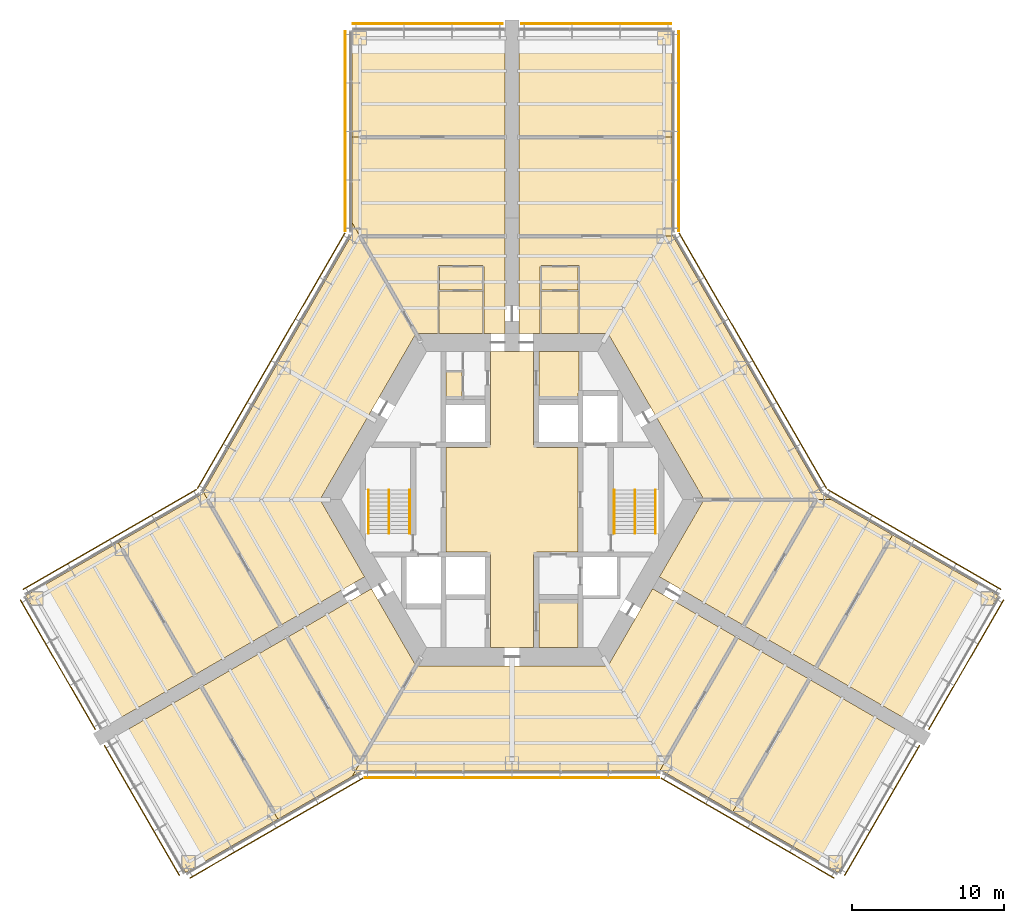
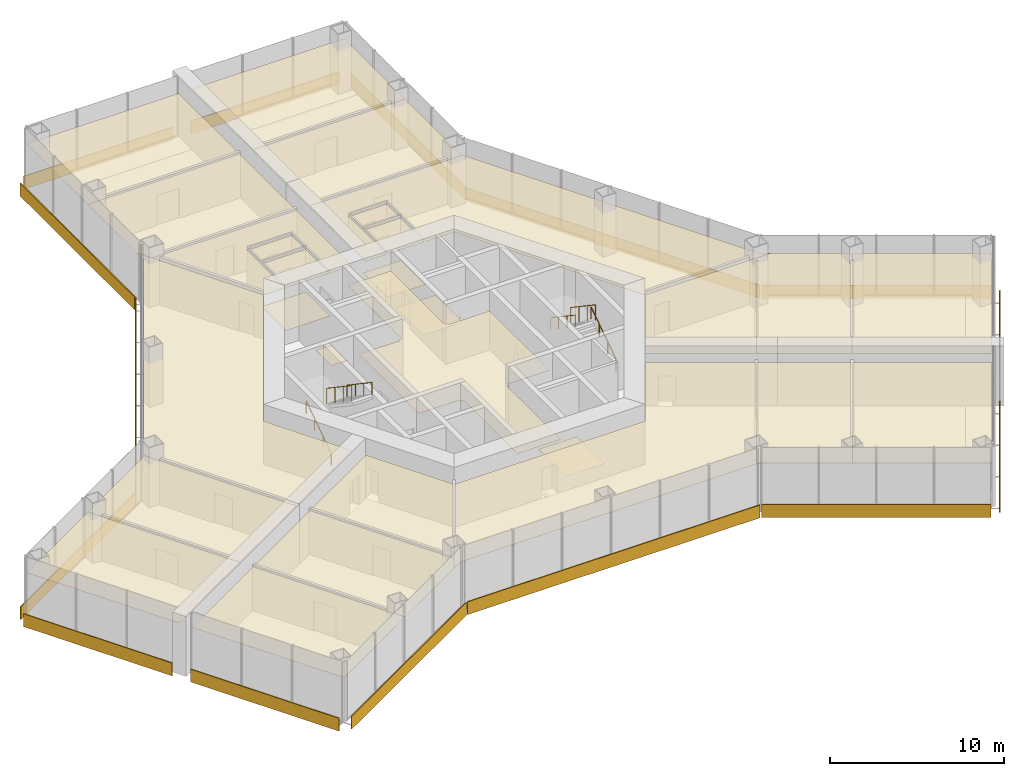
# One storey, part 15 of 15: 28 coverings, 15 shading devices, 6 railings.
"""IFC4 building model written with IfcOpenShell, lengths in metres."""

from ifc_helpers import new_model, si_unit, direction, frame, origin, origin_2d, place, context, subcontext, project, spatial, polyline, rectangle, circle, outline, extrude, material, layer, layer_set, type_object, element, save


model = new_model("IFC4")

# Units and contexts
model_context = context("Model", 3, precision=1e-05, world=origin(), true_north=direction((0.0, 1.0)))
body_context = subcontext(model_context, "Body", "Model", "MODEL_VIEW")
ifc_project = project(units=[si_unit("LENGTHUNIT", "METRE"), si_unit("AREAUNIT", "SQUARE_METRE"), si_unit("VOLUMEUNIT", "CUBIC_METRE"), si_unit("PLANEANGLEUNIT", "RADIAN"), si_unit("MASSUNIT", "GRAM", prefix="KILO")], contexts=[model_context])

# Site, building, storey
site_placement = place(None, origin())
site = spatial("IfcSite", under=ifc_project, at=site_placement, CompositionType="ELEMENT")
building_placement = place(site_placement, origin())
building = spatial("IfcBuilding", under=site, at=building_placement, Name="Kasaneha Research Tower", CompositionType="ELEMENT")
storey_placement = place(building_placement, frame((0.0, 0.0, 39.39990234375)))
storey = spatial("IfcBuildingStorey", under=building, at=storey_placement, Name="L10", CompositionType="ELEMENT", Elevation=39.39990234375)

# Coverings
ifc_material_1 = material(Name="Washable coated ceiling board", Category="gypsum")
ifc_layer_1 = layer(ifc_material_1, 0.02490234375)
ifc_layer_set_1 = layer_set([ifc_layer_1], Name="Laboratory ceiling 25")
covering_type_1 = type_object("IfcCoveringType", Name="Laboratory ceiling 25", PredefinedType="CEILING", material=ifc_layer_set_1)
covering_1_placement = place(storey_placement, frame((0.0, 0.0, 3.0)))
element("IfcCovering", 1, at=covering_1_placement, inside=storey, type_object=covering_type_1, Name="Ceiling L10-25", PredefinedType="CEILING", context=body_context, shape_type="SweptSolid", body=[
    extrude(outline(polyline([(1.949951171875, 10.925048828125), (1.949951171875, 13.675048828125), (4.35009765625, 13.675048828125), (4.35009765625, 10.925048828125), (1.949951171875, 10.925048828125)])), origin(), (0.0, 0.0, 1.0), 0.025146484375),
])
covering_2_placement = place(storey_placement, frame((0.0, 0.0, 3.0)))
element("IfcCovering", 2, at=covering_2_placement, inside=storey, type_object=covering_type_1, Name="Ceiling L10-26", PredefinedType="CEILING", context=body_context, shape_type="SweptSolid", body=[
    extrude(outline(polyline([(1.949951171875, 15.27490234375), (4.35009765625, 15.27490234375), (4.35009765625, 13.77490234375), (1.949951171875, 13.77490234375), (1.949951171875, 15.27490234375)])), origin(), (0.0, 0.0, 1.0), 0.025146484375),
])
covering_3_placement = place(storey_placement, frame((0.0, 0.0, 3.0)))
element("IfcCovering", 3, at=covering_3_placement, inside=storey, type_object=covering_type_1, Name="Ceiling L10-27", PredefinedType="CEILING", context=body_context, shape_type="SweptSolid", body=[
    extrude(outline(polyline([(12.614990234375, 0.0), (6.3076171875, 10.925048828125), (4.400390625, 10.925048828125), (4.400390625, 10.925048828125), (4.449951171875, 10.925048828125), (4.449951171875, 15.324951171875), (4.400390625, 15.324951171875), (4.400390625, 15.324951171875), (4.400390625, 15.3251953125), (4.400390625, 15.3251953125), (4.400390625, 15.3251953125), (4.400390625, 15.3251953125), (4.400390625, 15.3251953125), (4.400390625, 15.325439453125), (4.400390625, 15.325439453125), (4.400390625, 15.325439453125), (4.400390625, 15.325439453125), (4.400146484375, 15.325439453125), (4.400146484375, 15.325439453125), (4.400146484375, 15.325439453125), (4.400146484375, 15.325439453125), (4.400146484375, 15.325439453125), (4.39990234375, 15.325439453125), (4.39990234375, 15.375), (1.89990234375, 15.375), (1.89990234375, 15.325439453125), (1.89990234375, 15.325439453125), (1.89990234375, 15.325439453125), (1.89990234375, 15.325439453125), (1.89990234375, 15.325439453125), (1.899658203125, 15.325439453125), (1.899658203125, 15.325439453125), (1.899658203125, 15.325439453125), (1.899658203125, 15.325439453125), (1.899658203125, 15.325439453125), (1.899658203125, 15.3251953125), (1.899658203125, 15.3251953125), (1.899658203125, 15.3251953125), (1.8994140625, 15.3251953125), (1.8994140625, 15.3251953125), (1.8994140625, 15.324951171875), (1.8994140625, 15.324951171875), (1.85009765625, 15.324951171875), (1.85009765625, 10.925048828125), (0.449951171875, 10.925048828125), (0.449951171875, 11.72509765625), (0.449951171875, 12.72509765625), (0.449951171875, 17.320556640625), (10.577392578125, 17.320556640625), (20.365966796875, 0.365966796875), (21.0, 0.0), (12.614990234375, 0.0)])), origin(), (0.0, 0.0, 1.0), 0.025146484375),
])
covering_4_placement = place(storey_placement, frame((0.0, 0.0, 3.0)))
element("IfcCovering", 4, at=covering_4_placement, inside=storey, type_object=covering_type_1, Name="Ceiling L10-28", PredefinedType="CEILING", context=body_context, shape_type="SweptSolid", body=[
    extrude(outline(polyline([(10.5, 23.820556640625), (10.5, 17.45458984375), (10.577392578125, 17.320556640625), (0.449951171875, 17.320556640625), (0.449951171875, 23.820556640625), (10.5, 23.820556640625)])), origin(), (0.0, 0.0, 1.0), 0.025146484375),
])
covering_5_placement = place(storey_placement, frame((0.0, 0.0, 3.0)))
element("IfcCovering", 5, at=covering_5_placement, inside=storey, type_object=covering_type_1, Name="Ceiling L10-29", PredefinedType="CEILING", context=body_context, shape_type="SweptSolid", body=[
    extrude(outline(polyline([(10.5, 30.820556640625), (10.5, 23.820556640625), (0.449951171875, 23.820556640625), (0.449951171875, 30.820556640625), (10.5, 30.820556640625)])), origin(), (0.0, 0.0, 1.0), 0.025146484375),
])
covering_6_placement = place(storey_placement, frame((0.0, 0.0, 3.0)))
element("IfcCovering", 6, at=covering_6_placement, inside=storey, type_object=covering_type_1, Name="Ceiling L10-30", PredefinedType="CEILING", context=body_context, shape_type="SweptSolid", body=[
    extrude(outline(polyline([(-4.778564453125, 10.925048828125), (-4.778564453125, 13.675048828125), (-1.949951171875, 13.675048828125), (-1.949951171875, 10.925048828125), (-4.778564453125, 10.925048828125)])), origin(), (0.0, 0.0, 1.0), 0.025146484375),
])
covering_7_placement = place(storey_placement, frame((0.0, 0.0, 3.0)))
element("IfcCovering", 7, at=covering_7_placement, inside=storey, type_object=covering_type_1, Name="Ceiling L10-31", PredefinedType="CEILING", context=body_context, shape_type="SweptSolid", body=[
    extrude(outline(polyline([(-4.778564453125, 15.27490234375), (-1.949951171875, 15.27490234375), (-1.949951171875, 13.77490234375), (-4.778564453125, 13.77490234375), (-4.778564453125, 15.27490234375)])), origin(), (0.0, 0.0, 1.0), 0.025146484375),
])
covering_8_placement = place(storey_placement, frame((0.0, 0.0, 3.0)))
element("IfcCovering", 8, at=covering_8_placement, inside=storey, type_object=covering_type_1, Name="Ceiling L10-32", PredefinedType="CEILING", context=body_context, shape_type="SweptSolid", body=[
    extrude(outline(polyline([(-1.85009765625, 10.925048828125), (-1.85009765625, 15.324951171875), (-1.8994140625, 15.324951171875), (-1.8994140625, 15.324951171875), (-1.8994140625, 15.3251953125), (-1.8994140625, 15.3251953125), (-1.899658203125, 15.3251953125), (-1.899658203125, 15.3251953125), (-1.899658203125, 15.3251953125), (-1.899658203125, 15.325439453125), (-1.899658203125, 15.325439453125), (-1.899658203125, 15.325439453125), (-1.899658203125, 15.325439453125), (-1.899658203125, 15.325439453125), (-1.89990234375, 15.325439453125), (-1.89990234375, 15.325439453125), (-1.89990234375, 15.325439453125), (-1.89990234375, 15.325439453125), (-1.89990234375, 15.325439453125), (-1.89990234375, 15.375), (-4.82861328125, 15.375), (-4.82861328125, 15.325439453125), (-4.82861328125, 15.325439453125), (-4.82861328125, 15.325439453125), (-4.82861328125, 15.325439453125), (-4.828857421875, 15.325439453125), (-4.828857421875, 15.325439453125), (-4.828857421875, 15.325439453125), (-4.828857421875, 15.325439453125), (-4.828857421875, 15.325439453125), (-4.828857421875, 15.325439453125), (-4.8291015625, 15.3251953125), (-4.8291015625, 15.3251953125), (-4.8291015625, 15.3251953125), (-4.8291015625, 15.3251953125), (-4.8291015625, 15.3251953125), (-4.8291015625, 15.324951171875), (-4.8291015625, 15.324951171875), (-4.878662109375, 15.324951171875), (-4.878662109375, 10.925048828125), (-6.3076171875, 10.925048828125), (-10.0, 17.320556640625), (-0.449951171875, 17.320556640625), (-0.449951171875, 12.72509765625), (-0.449951171875, 11.72509765625), (-0.449951171875, 10.925048828125), (-1.85009765625, 10.925048828125)])), origin(), (0.0, 0.0, 1.0), 0.025146484375),
])
covering_9_placement = place(storey_placement, frame((0.0, 0.0, 3.0)))
element("IfcCovering", 9, at=covering_9_placement, inside=storey, type_object=covering_type_1, Name="Ceiling L10-33", PredefinedType="CEILING", context=body_context, shape_type="SweptSolid", body=[
    extrude(outline(polyline([(-10.5, 23.820556640625), (-0.449951171875, 23.820556640625), (-0.449951171875, 17.320556640625), (-10.0, 17.320556640625), (-10.5, 18.1865234375), (-10.5, 23.820556640625)])), origin(), (0.0, 0.0, 1.0), 0.025146484375),
])
covering_10_placement = place(storey_placement, frame((0.0, 0.0, 3.0)))
element("IfcCovering", 10, at=covering_10_placement, inside=storey, type_object=covering_type_1, Name="Ceiling L10-34", PredefinedType="CEILING", context=body_context, shape_type="SweptSolid", body=[
    extrude(outline(polyline([(-0.449951171875, 30.820556640625), (-0.449951171875, 23.820556640625), (-10.5, 23.820556640625), (-10.5, 30.820556640625), (-0.449951171875, 30.820556640625)])), origin(), (0.0, 0.0, 1.0), 0.025146484375),
])
covering_11_placement = place(storey_placement, frame((0.0, 0.0, 3.0)))
element("IfcCovering", 11, at=covering_11_placement, inside=storey, type_object=covering_type_1, Name="Ceiling L10-35", PredefinedType="CEILING", context=body_context, shape_type="SweptSolid", body=[
    extrude(outline(polyline([(-12.614990234375, 0.0), (-9.686279296875, -5.07275390625), (-9.895263671875, -5.193359375), (-10.379150390625, -5.472900390625), (-11.2451171875, -5.972900390625), (-14.55810546875, -7.885498046875), (-15.22509765625, -8.2705078125), (-20.28857421875, 0.5), (-10.5, 17.45458984375), (-10.5, 18.1865234375), (-6.3076171875, 10.925048828125), (-12.614990234375, 0.0)])), origin(), (0.0, 0.0, 1.0), 0.025146484375),
])
covering_12_placement = place(storey_placement, frame((0.0, 0.0, 3.0)))
element("IfcCovering", 12, at=covering_12_placement, inside=storey, type_object=covering_type_1, Name="Ceiling L10-36", PredefinedType="CEILING", context=body_context, shape_type="SweptSolid", body=[
    extrude(outline(polyline([(-25.879150390625, -2.81689453125), (-20.365966796875, 0.365966796875), (-20.28857421875, 0.5), (-15.22509765625, -8.2705078125), (-20.854248046875, -11.5205078125), (-25.879150390625, -2.81689453125)])), origin(), (0.0, 0.0, 1.0), 0.025146484375),
])
covering_13_placement = place(storey_placement, frame((0.0, 0.0, 3.0)))
element("IfcCovering", 13, at=covering_13_placement, inside=storey, type_object=covering_type_1, Name="Ceiling L10-37", PredefinedType="CEILING", context=body_context, shape_type="SweptSolid", body=[
    extrude(outline(polyline([(-31.94140625, -6.31689453125), (-25.879150390625, -2.81689453125), (-20.854248046875, -11.5205078125), (-26.916259765625, -15.0205078125), (-31.94140625, -6.31689453125)])), origin(), (0.0, 0.0, 1.0), 0.025146484375),
])
covering_14_placement = place(storey_placement, frame((0.0, 0.0, 3.0)))
element("IfcCovering", 14, at=covering_14_placement, inside=storey, type_object=covering_type_1, Name="Ceiling L10-38", PredefinedType="CEILING", context=body_context, shape_type="SweptSolid", body=[
    extrude(outline(polyline([(-9.236328125, -5.852294921875), (-6.3076171875, -10.925048828125), (-10.0, -17.320556640625), (-14.77490234375, -9.050048828125), (-9.92919921875, -6.252197265625), (-9.92919921875, -6.252197265625), (-9.236328125, -5.852294921875)])), origin(), (0.0, 0.0, 1.0), 0.025146484375),
])
covering_15_placement = place(storey_placement, frame((0.0, 0.0, 3.0)))
element("IfcCovering", 15, at=covering_15_placement, inside=storey, type_object=covering_type_1, Name="Ceiling L10-39", PredefinedType="CEILING", context=body_context, shape_type="SweptSolid", body=[
    extrude(outline(polyline([(-21.44140625, -24.50341796875), (-26.46630859375, -15.800048828125), (-20.404052734375, -12.300048828125), (-15.379150390625, -21.00341796875), (-21.44140625, -24.50341796875)])), origin(), (0.0, 0.0, 1.0), 0.025146484375),
])
covering_16_placement = place(storey_placement, frame((0.0, 0.0, 3.0)))
element("IfcCovering", 16, at=covering_16_placement, inside=storey, type_object=covering_type_1, Name="Ceiling L10-40", PredefinedType="CEILING", context=body_context, shape_type="SweptSolid", body=[
    extrude(outline(polyline([(-10.5, -18.1865234375), (-15.379150390625, -21.00341796875), (-20.404052734375, -12.300048828125), (-14.77490234375, -9.050048828125), (-10.0, -17.320556640625), (-10.5, -18.1865234375)])), origin(), (0.0, 0.0, 1.0), 0.025146484375),
])
covering_17_placement = place(storey_placement, frame((0.0, 0.0, 3.0)))
element("IfcCovering", 17, at=covering_17_placement, inside=storey, type_object=covering_type_1, Name="Ceiling L10-41", PredefinedType="CEILING", context=body_context, shape_type="SweptSolid", body=[
    extrude(outline(polyline([(11.2451171875, -5.972900390625), (10.379150390625, -5.472900390625), (9.686279296875, -5.07275390625), (12.614990234375, 0.0), (20.0, 0.0), (15.22509765625, -8.2705078125), (14.55810546875, -7.885498046875), (11.2451171875, -5.972900390625)])), origin(), (0.0, 0.0, 1.0), 0.025146484375),
])
covering_18_placement = place(storey_placement, frame((0.0, 0.0, 3.0)))
element("IfcCovering", 18, at=covering_18_placement, inside=storey, type_object=covering_type_1, Name="Ceiling L10-42", PredefinedType="CEILING", context=body_context, shape_type="SweptSolid", body=[
    extrude(outline(polyline([(19.988037109375, -11.0205078125), (25.01318359375, -2.31689453125), (31.94140625, -6.31689453125), (26.916259765625, -15.0205078125), (23.355224609375, -12.964599609375), (19.988037109375, -11.0205078125)])), origin(), (0.0, 0.0, 1.0), 0.025146484375),
])
covering_19_placement = place(storey_placement, frame((0.0, 0.0, 3.0)))
element("IfcCovering", 19, at=covering_19_placement, inside=storey, type_object=covering_type_1, Name="Ceiling L10-43", PredefinedType="CEILING", context=body_context, shape_type="SweptSolid", body=[
    extrude(outline(polyline([(15.22509765625, -8.2705078125), (20.0, 0.0), (21.0, 0.0), (25.01318359375, -2.31689453125), (19.988037109375, -11.0205078125), (15.6201171875, -8.49853515625), (15.22509765625, -8.2705078125)])), origin(), (0.0, 0.0, 1.0), 0.025146484375),
])
covering_20_placement = place(storey_placement, frame((0.0, 0.0, 3.0)))
element("IfcCovering", 20, at=covering_20_placement, inside=storey, type_object=covering_type_1, Name="Ceiling L10-44", PredefinedType="CEILING", context=body_context, shape_type="SweptSolid", body=[
    extrude(outline(polyline([(-10.5, -18.1865234375), (-6.3076171875, -10.925048828125), (6.3076171875, -10.925048828125), (9.236328125, -5.852294921875), (9.92919921875, -6.252197265625), (9.92919921875, -6.252197265625), (10.909423828125, -6.818359375), (14.77490234375, -9.050048828125), (9.71142578125, -17.820556640625), (-9.865966796875, -17.820556640625), (-10.5, -18.1865234375)])), origin(), (0.0, 0.0, 1.0), 0.025146484375),
])
covering_21_placement = place(storey_placement, frame((0.0, 0.0, 3.0)))
element("IfcCovering", 21, at=covering_21_placement, inside=storey, type_object=covering_type_1, Name="Ceiling L10-45", PredefinedType="CEILING", context=body_context, shape_type="SweptSolid", body=[
    extrude(outline(polyline([(14.77490234375, -9.050048828125), (19.5380859375, -11.800048828125), (14.51318359375, -20.50341796875), (9.865966796875, -17.820556640625), (9.71142578125, -17.820556640625), (14.77490234375, -9.050048828125)])), origin(), (0.0, 0.0, 1.0), 0.025146484375),
])
covering_22_placement = place(storey_placement, frame((0.0, 0.0, 3.0)))
element("IfcCovering", 22, at=covering_22_placement, inside=storey, type_object=covering_type_1, Name="Ceiling L10-46", PredefinedType="CEILING", context=body_context, shape_type="SweptSolid", body=[
    extrude(outline(polyline([(21.44140625, -24.50341796875), (14.51318359375, -20.50341796875), (19.5380859375, -11.800048828125), (26.46630859375, -15.800048828125), (21.44140625, -24.50341796875)])), origin(), (0.0, 0.0, 1.0), 0.025146484375),
])
ifc_material_2 = material(Name="Aluminium panel ceiling", Category="aluminium")
ifc_layer_2 = layer(ifc_material_2, 0.0400390625)
ifc_layer_set_2 = layer_set([ifc_layer_2], Name="Lift lobby ceiling 40")
covering_type_2 = type_object("IfcCoveringType", Name="Lift lobby ceiling 40", PredefinedType="CEILING", material=ifc_layer_set_2)
covering_23_placement = place(storey_placement, frame((0.0, 0.0, 2.7001953125)))
element("IfcCovering", 23, at=covering_23_placement, inside=storey, type_object=covering_type_2, Name="Ceiling L10-01", PredefinedType="CEILING", context=body_context, shape_type="SweptSolid", body=[
    extrude(outline(polyline([(1.425048828125, 9.72509765625), (1.425048828125, 3.60009765625), (1.60009765625, 3.60009765625), (1.60009765625, 3.425048828125), (4.324951171875, 3.425048828125), (4.324951171875, -3.425048828125), (1.60009765625, -3.425048828125), (1.60009765625, -3.60009765625), (1.425048828125, -3.60009765625), (1.425048828125, -9.72509765625), (-1.425048828125, -9.72509765625), (-1.425048828125, -3.60009765625), (-1.60009765625, -3.60009765625), (-1.60009765625, -3.425048828125), (-4.324951171875, -3.425048828125), (-4.324951171875, 3.425048828125), (-1.60009765625, 3.425048828125), (-1.60009765625, 3.60009765625), (-1.425048828125, 3.60009765625), (-1.425048828125, 9.72509765625), (1.425048828125, 9.72509765625)])), origin(), (0.0, 0.0, 1.0), 0.039794921875),
])

# Railings
ifc_material_3 = material(Name="Steel", Category="steel")
railing_type_1 = type_object("IfcRailingType", Name="Stair balustrade 1100", PredefinedType="GUARDRAIL", material=ifc_material_3)
for number, where, name in (
    (24, (8.074951171875, 0.635009765625, 2.275146484375), "Stair 1 balustrade L10"),
    (25, (-8.074951171875, 0.635009765625, 2.275146484375), "Stair 2 balustrade L10"),
):
    element("IfcRailing", number, at=place(storey_placement, frame(where)), inside=storey, type_object=railing_type_1, Name=name, PredefinedType="GUARDRAIL", context=body_context, shape_type="SweptSolid", body=[
        extrude(circle(Radius=0.02392578125, at=origin_2d()), frame((0.0, 0.0, 1.076171875), z_axis=(0.0, -0.829590901723, 0.558371682465), x_axis=(1.0, 0.0, 0.0)), (0.0, 0.0, 1.0), 3.447509765625),
        extrude(circle(Radius=0.02099609375, at=origin_2d()), origin(), (0.0, 0.0, 1.0), 1.052001953125),
        extrude(circle(Radius=0.02099609375, at=origin_2d()), frame((0.0, -0.953369140625, 0.6416015625)), (0.0, 0.0, 1.0), 1.052001953125),
        extrude(circle(Radius=0.02099609375, at=origin_2d()), frame((0.0, -1.90673828125, 1.283447265625)), (0.0, 0.0, 1.0), 1.052001953125),
        extrude(circle(Radius=0.02099609375, at=origin_2d()), frame((0.0, -2.860107421875, 1.925048828125)), (0.0, 0.0, 1.0), 1.052001953125),
    ])
ifc_material_4 = material(Name="Steel", Category="steel")
railing_type_2 = type_object("IfcRailingType", Name="Stair handrail 850", PredefinedType="HANDRAIL", material=ifc_material_4)
railing_1_placement = place(storey_placement, frame((9.425048828125, -2.22509765625, 0.175048828125)))
element("IfcRailing", 26, at=railing_1_placement, inside=storey, type_object=railing_type_2, Name="Stair 1 handrail L10", PredefinedType="HANDRAIL", context=body_context, shape_type="SweptSolid", body=[
    extrude(circle(Radius=0.02392578125, at=origin_2d()), frame((0.0, 0.0, 0.826171875), z_axis=(0.0, 0.829590901723, 0.558371682465), x_axis=(-1.0, 0.0, 0.0)), (0.0, 0.0, 1.0), 3.447509765625),
    extrude(circle(Radius=0.02099609375, at=origin_2d()), origin(), (0.0, 0.0, 1.0), 0.802001953125),
    extrude(circle(Radius=0.02099609375, at=origin_2d()), frame((0.0, 0.953369140625, 0.6416015625)), (0.0, 0.0, 1.0), 0.802001953125),
    extrude(circle(Radius=0.02099609375, at=origin_2d()), frame((0.0, 1.90673828125, 1.283447265625)), (0.0, 0.0, 1.0), 0.802001953125),
    extrude(circle(Radius=0.02099609375, at=origin_2d()), frame((0.0, 2.860107421875, 1.925048828125)), (0.0, 0.0, 1.0), 0.802001953125),
])
railing_2_placement = place(storey_placement, frame((6.72509765625, 0.635009765625, 2.275146484375)))
element("IfcRailing", 27, at=railing_2_placement, inside=storey, type_object=railing_type_2, Name="Stair 1 handrail L10", PredefinedType="HANDRAIL", context=body_context, shape_type="SweptSolid", body=[
    extrude(circle(Radius=0.02392578125, at=origin_2d()), frame((0.0, 0.0, 0.826171875), z_axis=(0.0, -0.829590901723, 0.558371682465), x_axis=(1.0, 0.0, 0.0)), (0.0, 0.0, 1.0), 3.447509765625),
    extrude(circle(Radius=0.02099609375, at=origin_2d()), origin(), (0.0, 0.0, 1.0), 0.802001953125),
    extrude(circle(Radius=0.02099609375, at=origin_2d()), frame((0.0, -0.953369140625, 0.6416015625)), (0.0, 0.0, 1.0), 0.802001953125),
    extrude(circle(Radius=0.02099609375, at=origin_2d()), frame((0.0, -1.90673828125, 1.283447265625)), (0.0, 0.0, 1.0), 0.802001953125),
    extrude(circle(Radius=0.02099609375, at=origin_2d()), frame((0.0, -2.860107421875, 1.925048828125)), (0.0, 0.0, 1.0), 0.802001953125),
])
railing_3_placement = place(storey_placement, frame((-9.425048828125, -2.22509765625, 0.175048828125)))
element("IfcRailing", 28, at=railing_3_placement, inside=storey, type_object=railing_type_2, Name="Stair 2 handrail L10", PredefinedType="HANDRAIL", context=body_context, shape_type="SweptSolid", body=[
    extrude(circle(Radius=0.02392578125, at=origin_2d()), frame((0.0, 0.0, 0.826171875), z_axis=(0.0, 0.829590901723, 0.558371682465), x_axis=(-1.0, 0.0, 0.0)), (0.0, 0.0, 1.0), 3.447509765625),
    extrude(circle(Radius=0.02099609375, at=origin_2d()), origin(), (0.0, 0.0, 1.0), 0.802001953125),
    extrude(circle(Radius=0.02099609375, at=origin_2d()), frame((0.0, 0.953369140625, 0.6416015625)), (0.0, 0.0, 1.0), 0.802001953125),
    extrude(circle(Radius=0.02099609375, at=origin_2d()), frame((0.0, 1.90673828125, 1.283447265625)), (0.0, 0.0, 1.0), 0.802001953125),
    extrude(circle(Radius=0.02099609375, at=origin_2d()), frame((0.0, 2.860107421875, 1.925048828125)), (0.0, 0.0, 1.0), 0.802001953125),
])
railing_4_placement = place(storey_placement, frame((-6.72509765625, 0.635009765625, 2.275146484375)))
element("IfcRailing", 29, at=railing_4_placement, inside=storey, type_object=railing_type_2, Name="Stair 2 handrail L10", PredefinedType="HANDRAIL", context=body_context, shape_type="SweptSolid", body=[
    extrude(circle(Radius=0.02392578125, at=origin_2d()), frame((0.0, 0.0, 0.826171875), z_axis=(0.0, -0.829590901723, 0.558371682465), x_axis=(1.0, 0.0, 0.0)), (0.0, 0.0, 1.0), 3.447509765625),
    extrude(circle(Radius=0.02099609375, at=origin_2d()), origin(), (0.0, 0.0, 1.0), 0.802001953125),
    extrude(circle(Radius=0.02099609375, at=origin_2d()), frame((0.0, -0.953369140625, 0.6416015625)), (0.0, 0.0, 1.0), 0.802001953125),
    extrude(circle(Radius=0.02099609375, at=origin_2d()), frame((0.0, -1.90673828125, 1.283447265625)), (0.0, 0.0, 1.0), 0.802001953125),
    extrude(circle(Radius=0.02099609375, at=origin_2d()), frame((0.0, -2.860107421875, 1.925048828125)), (0.0, 0.0, 1.0), 0.802001953125),
])

# Shading devices
ifc_material_5 = material(Name="Terracotta", Category="masonry")
ifc_layer_3 = layer(ifc_material_5, 0.06005859375)
ifc_layer_set_3 = layer_set([ifc_layer_3], Name="Terracotta baguette screen")
shading_device_type = type_object("IfcShadingDeviceType", Name="Terracotta baguette screen", PredefinedType="USERDEFINED", material=ifc_layer_set_3)
shading_device_1_placement = place(storey_placement, frame((-15.483642578125, -21.58349609375, -0.449951171875), z_axis=(0.0, 0.0, 1.0), x_axis=(0.866025411464, 0.499999986699, 0.0)))
element("IfcShadingDevice", 30, at=shading_device_1_placement, inside=storey, type_object=shading_device_type, Name="Baguette screen L10 01", ObjectType="TERRACOTTA BAGUETTE SCREEN", PredefinedType="USERDEFINED", context=body_context, shape_type="SweptSolid", body=[
    extrude(rectangle(XDim=13.13916015625, YDim=0.06005859375, at=origin_2d()), origin(), (0.0, 0.0, 1.0), 0.89990234375),
])
shading_device_2_placement = place(storey_placement, frame((0.0, -18.2705078125, -0.449951171875), z_axis=(0.0, 0.0, 1.0), x_axis=(1.0, 0.0, 0.0)))
element("IfcShadingDevice", 31, at=shading_device_2_placement, inside=storey, type_object=shading_device_type, Name="Baguette screen L10 02", ObjectType="TERRACOTTA BAGUETTE SCREEN", PredefinedType="USERDEFINED", context=body_context, shape_type="SweptSolid", body=[
    extrude(rectangle(XDim=19.37841796875, YDim=0.06005859375, at=origin_2d()), origin(), (0.0, 0.0, 1.0), 0.89990234375),
])
shading_device_3_placement = place(storey_placement, frame((15.483642578125, -21.58349609375, -0.449951171875), z_axis=(0.0, 0.0, 1.0), x_axis=(0.866025411464, -0.499999986699, 0.0)))
element("IfcShadingDevice", 32, at=shading_device_3_placement, inside=storey, type_object=shading_device_type, Name="Baguette screen L10 03", ObjectType="TERRACOTTA BAGUETTE SCREEN", PredefinedType="USERDEFINED", context=body_context, shape_type="SweptSolid", body=[
    extrude(rectangle(XDim=13.13916015625, YDim=0.06005859375, at=origin_2d()), origin(), (0.0, 0.0, 1.0), 0.89990234375),
])
for number, where, z_axis, x_axis, name in (
    (33, (24.318603515625, -20.420166015625, -0.449951171875), (0.0, 0.0, 1.0), (0.500000011442, 0.866025397178, 0.0), "Baguette screen L10 04"),
    (34, (29.843505859375, -10.850341796875, -0.449951171875), (0.0, 0.0, 1.0), (0.500000011442, 0.866025397178, 0.0), "Baguette screen L10 05"),
):
    element("IfcShadingDevice", number, at=place(storey_placement, frame(where, z_axis=z_axis, x_axis=x_axis)), inside=storey, type_object=shading_device_type, Name=name, ObjectType="TERRACOTTA BAGUETTE SCREEN", PredefinedType="USERDEFINED", context=body_context, shape_type="SweptSolid", body=[
        extrude(rectangle(XDim=9.85009765625, YDim=0.06005859375, at=origin_2d()), origin(), (0.0, 0.0, 1.0), 0.89990234375),
    ])
shading_device_4_placement = place(storey_placement, frame((26.43359375, -2.617431640625, -0.449951171875), z_axis=(0.0, 0.0, 1.0), x_axis=(-0.866025411464, 0.499999986699, 0.0)))
element("IfcShadingDevice", 35, at=shading_device_4_placement, inside=storey, type_object=shading_device_type, Name="Baguette screen L10 06", ObjectType="TERRACOTTA BAGUETTE SCREEN", PredefinedType="USERDEFINED", context=body_context, shape_type="SweptSolid", body=[
    extrude(rectangle(XDim=13.13916015625, YDim=0.06005859375, at=origin_2d()), origin(), (0.0, 0.0, 1.0), 0.89990234375),
])
shading_device_5_placement = place(storey_placement, frame((15.82275390625, 9.13525390625, -0.449951171875), z_axis=(0.0, 0.0, 1.0), x_axis=(-0.49999996188, 0.866025425793, 0.0)))
element("IfcShadingDevice", 36, at=shading_device_5_placement, inside=storey, type_object=shading_device_type, Name="Baguette screen L10 07", ObjectType="TERRACOTTA BAGUETTE SCREEN", PredefinedType="USERDEFINED", context=body_context, shape_type="SweptSolid", body=[
    extrude(rectangle(XDim=19.37841796875, YDim=0.06005859375, at=origin_2d()), origin(), (0.0, 0.0, 1.0), 0.89990234375),
])
shading_device_6_placement = place(storey_placement, frame((10.949951171875, 24.200927734375, -0.449951171875), z_axis=(0.0, 0.0, 1.0), x_axis=(0.0, 1.0, 0.0)))
element("IfcShadingDevice", 37, at=shading_device_6_placement, inside=storey, type_object=shading_device_type, Name="Baguette screen L10 08", ObjectType="TERRACOTTA BAGUETTE SCREEN", PredefinedType="USERDEFINED", context=body_context, shape_type="SweptSolid", body=[
    extrude(rectangle(XDim=13.13916015625, YDim=0.06005859375, at=origin_2d()), origin(), (0.0, 0.0, 1.0), 0.89990234375),
])
for number, where, z_axis, x_axis, name in (
    (38, (5.52490234375, 31.2705078125, -0.449951171875), (0.0, 0.0, 1.0), (-1.0, 0.0, 0.0), "Baguette screen L10 09"),
    (39, (-5.52490234375, 31.2705078125, -0.449951171875), (0.0, 0.0, 1.0), (-1.0, 0.0, 0.0), "Baguette screen L10 10"),
):
    element("IfcShadingDevice", number, at=place(storey_placement, frame(where, z_axis=z_axis, x_axis=x_axis)), inside=storey, type_object=shading_device_type, Name=name, ObjectType="TERRACOTTA BAGUETTE SCREEN", PredefinedType="USERDEFINED", context=body_context, shape_type="SweptSolid", body=[
        extrude(rectangle(XDim=9.85009765625, YDim=0.06005859375, at=origin_2d()), origin(), (0.0, 0.0, 1.0), 0.89990234375),
    ])
shading_device_7_placement = place(storey_placement, frame((-10.949951171875, 24.200927734375, -0.449951171875), z_axis=(0.0, 0.0, 1.0), x_axis=(0.0, -1.0, 0.0)))
element("IfcShadingDevice", 40, at=shading_device_7_placement, inside=storey, type_object=shading_device_type, Name="Baguette screen L10 11", ObjectType="TERRACOTTA BAGUETTE SCREEN", PredefinedType="USERDEFINED", context=body_context, shape_type="SweptSolid", body=[
    extrude(rectangle(XDim=13.13916015625, YDim=0.06005859375, at=origin_2d()), origin(), (0.0, 0.0, 1.0), 0.89990234375),
])
shading_device_8_placement = place(storey_placement, frame((-15.82275390625, 9.13525390625, -0.449951171875), z_axis=(0.0, 0.0, 1.0), x_axis=(-0.49999996188, -0.866025425793, 0.0)))
element("IfcShadingDevice", 41, at=shading_device_8_placement, inside=storey, type_object=shading_device_type, Name="Baguette screen L10 12", ObjectType="TERRACOTTA BAGUETTE SCREEN", PredefinedType="USERDEFINED", context=body_context, shape_type="SweptSolid", body=[
    extrude(rectangle(XDim=19.37841796875, YDim=0.06005859375, at=origin_2d()), origin(), (0.0, 0.0, 1.0), 0.89990234375),
])
shading_device_9_placement = place(storey_placement, frame((-26.43359375, -2.617431640625, -0.449951171875), z_axis=(0.0, 0.0, 1.0), x_axis=(-0.866025411464, -0.499999986699, 0.0)))
element("IfcShadingDevice", 42, at=shading_device_9_placement, inside=storey, type_object=shading_device_type, Name="Baguette screen L10 13", ObjectType="TERRACOTTA BAGUETTE SCREEN", PredefinedType="USERDEFINED", context=body_context, shape_type="SweptSolid", body=[
    extrude(rectangle(XDim=13.13916015625, YDim=0.06005859375, at=origin_2d()), origin(), (0.0, 0.0, 1.0), 0.89990234375),
])
for number, where, z_axis, x_axis, name in (
    (43, (-29.843505859375, -10.850341796875, -0.449951171875), (0.0, 0.0, 1.0), (0.500000011442, -0.866025397178, 0.0), "Baguette screen L10 14"),
    (44, (-24.318603515625, -20.420166015625, -0.449951171875), (0.0, 0.0, 1.0), (0.500000011442, -0.866025397178, 0.0), "Baguette screen L10 15"),
):
    element("IfcShadingDevice", number, at=place(storey_placement, frame(where, z_axis=z_axis, x_axis=x_axis)), inside=storey, type_object=shading_device_type, Name=name, ObjectType="TERRACOTTA BAGUETTE SCREEN", PredefinedType="USERDEFINED", context=body_context, shape_type="SweptSolid", body=[
        extrude(rectangle(XDim=9.85009765625, YDim=0.06005859375, at=origin_2d()), origin(), (0.0, 0.0, 1.0), 0.89990234375),
    ])

# Coverings
ifc_material_6 = material(Name="Vinyl sheet flooring", Category="plastic")
ifc_layer_4 = layer(ifc_material_6, 0.0048828125)
ifc_layer_set_4 = layer_set([ifc_layer_4], Name="Wet room sheet flooring 5")
covering_type_3 = type_object("IfcCoveringType", Name="Wet room sheet flooring 5", PredefinedType="FLOORING", material=ifc_layer_set_4)
covering_24_placement = place(storey_placement, origin())
element("IfcCovering", 45, at=covering_24_placement, inside=storey, type_object=covering_type_3, Name="Floor finish L10-07", PredefinedType="FLOORING", context=body_context, shape_type="SweptSolid", body=[
    extrude(outline(polyline([(-4.324951171875, 6.574951171875), (-4.324951171875, 8.375), (-3.27490234375, 8.375), (-3.27490234375, 6.574951171875), (-4.324951171875, 6.574951171875)])), origin(), (0.0, 0.0, 1.0), 0.005126953125),
])
covering_25_placement = place(storey_placement, origin())
element("IfcCovering", 46, at=covering_25_placement, inside=storey, type_object=covering_type_3, Name="Floor finish L10-09", PredefinedType="FLOORING", context=body_context, shape_type="SweptSolid", body=[
    extrude(outline(polyline([(4.39892578125, 9.72509765625), (4.39892578125, 7.175048828125), (4.39892578125, 7.1748046875), (4.39892578125, 7.1748046875), (4.39892578125, 7.1748046875), (4.399169921875, 7.174560546875), (4.399169921875, 7.174560546875), (4.399169921875, 7.174560546875), (4.399169921875, 7.17431640625), (4.399169921875, 7.17431640625), (4.3994140625, 7.17431640625), (4.3994140625, 7.174072265625), (4.3994140625, 7.174072265625), (4.399658203125, 7.174072265625), (4.399658203125, 7.174072265625), (4.39990234375, 7.174072265625), (4.39990234375, 7.174072265625), (4.39990234375, 7.174072265625), (4.5, 7.174072265625), (4.5, 7.0), (4.324951171875, 7.0), (4.324951171875, 6.574951171875), (1.77490234375, 6.574951171875), (1.77490234375, 9.72509765625), (4.39892578125, 9.72509765625)])), origin(), (0.0, 0.0, 1.0), 0.005126953125),
])
covering_26_placement = place(storey_placement, origin())
element("IfcCovering", 47, at=covering_26_placement, inside=storey, type_object=covering_type_3, Name="Floor finish L10-11", PredefinedType="FLOORING", context=body_context, shape_type="SweptSolid", body=[
    extrude(outline(polyline([(1.77490234375, -9.72509765625), (1.77490234375, -6.574951171875), (4.324951171875, -6.574951171875), (4.324951171875, -9.72509765625), (1.77490234375, -9.72509765625)])), origin(), (0.0, 0.0, 1.0), 0.005126953125),
])
covering_27_placement = place(storey_placement, origin())
element("IfcCovering", 48, at=covering_27_placement, inside=storey, type_object=covering_type_3, Name="Floor finish L10-25", PredefinedType="FLOORING", context=body_context, shape_type="SweptSolid", body=[
    extrude(outline(polyline([(1.89990234375, 13.72509765625), (4.39990234375, 13.72509765625), (4.39990234375, 10.925048828125), (1.89990234375, 10.925048828125), (1.89990234375, 13.72509765625)])), origin(), (0.0, 0.0, 1.0), 0.005126953125),
])
covering_28_placement = place(storey_placement, origin())
element("IfcCovering", 49, at=covering_28_placement, inside=storey, type_object=covering_type_3, Name="Floor finish L10-30", PredefinedType="FLOORING", context=body_context, shape_type="SweptSolid", body=[
    extrude(outline(polyline([(-4.82861328125, 10.925048828125), (-4.82861328125, 13.72509765625), (-1.89990234375, 13.72509765625), (-1.89990234375, 10.925048828125), (-4.82861328125, 10.925048828125)])), origin(), (0.0, 0.0, 1.0), 0.005126953125),
])

save(model, "model.ifc")
